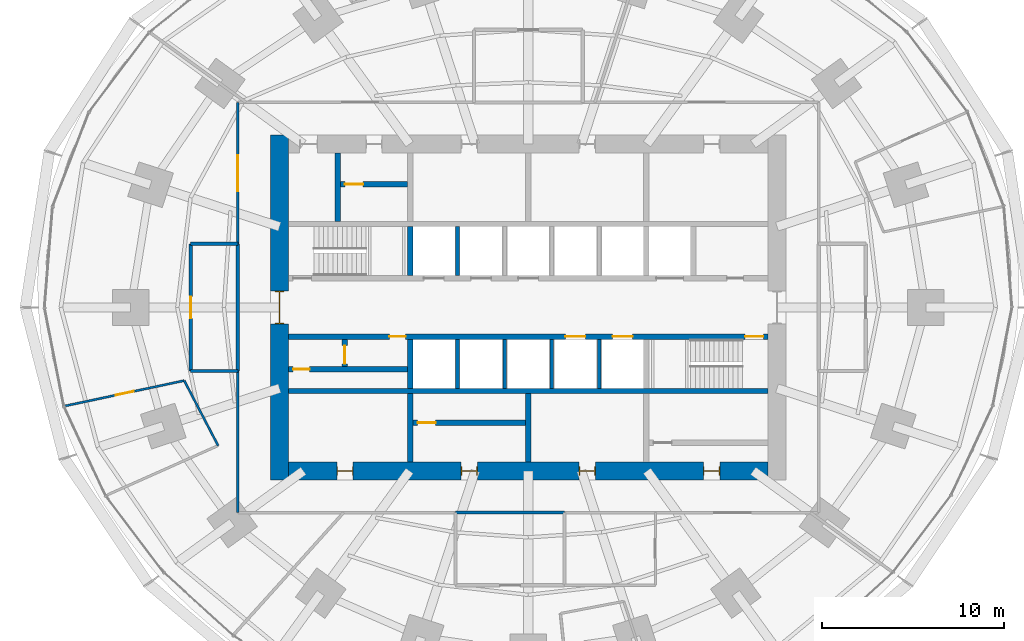
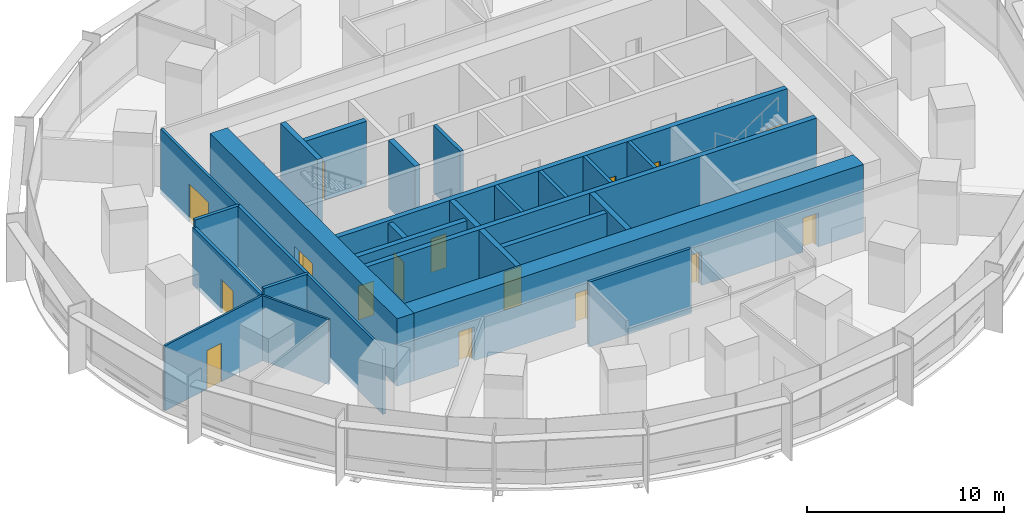
# One storey, part 11 of 15: 27 walls, 16 doors, 16 openings.
"""IFC4 building model written with IfcOpenShell, lengths in metres."""

from ifc_helpers import new_model, si_unit, direction, frame, frame_2d, origin, place, context, subcontext, project, spatial, rectangle, extrude, material, layer, layer_set, type_object, element, fill, save


model = new_model("IFC4")

# Units and contexts
model_context = context("Model", 3, precision=1e-05, world=origin(), true_north=direction((0.0, 1.0)))
body_context = subcontext(model_context, "Body", "Model", "MODEL_VIEW")
ifc_project = project(units=[si_unit("LENGTHUNIT", "METRE"), si_unit("AREAUNIT", "SQUARE_METRE"), si_unit("VOLUMEUNIT", "CUBIC_METRE"), si_unit("PLANEANGLEUNIT", "RADIAN"), si_unit("MASSUNIT", "GRAM", prefix="KILO")], contexts=[model_context])

# Site, building, storey
site_placement = place(None, origin())
site = spatial("IfcSite", under=ifc_project, at=site_placement, CompositionType="ELEMENT")
building_placement = place(site_placement, origin())
building = spatial("IfcBuilding", under=site, at=building_placement, Name="Marramba Exchange Tower", CompositionType="ELEMENT")
storey_placement = place(building_placement, frame((0.0, 0.0, 74.199951171875)))
storey = spatial("IfcBuildingStorey", under=building, at=storey_placement, Name="L17", CompositionType="ELEMENT", Elevation=74.199951171875)

# Walls
ifc_material_1 = material(Name="Plasterboard on staggered double steel studs, acoustic insulation", Category="steel")
ifc_layer_1 = layer(ifc_material_1, 0.169921875)
ifc_layer_set_1 = layer_set([ifc_layer_1], Name="Acoustic partition 170")
wall_type_1 = type_object("IfcWallType", Name="Acoustic partition 170", PredefinedType="PARTITIONING", material=ifc_layer_set_1)
wall_1_placement = place(storey_placement, frame((2.0, -11.300048828125, 0.0), z_axis=(0.0, 0.0, 1.0), x_axis=(-1.0, 0.0, 0.0)))
element("IfcWall", 1, at=wall_1_placement, inside=storey, type_object=wall_type_1, Name="Acoustic partition L17 09", PredefinedType="PARTITIONING", context=body_context, shape_type="SweptSolid", body=[
    extrude(rectangle(XDim=6.0, YDim=0.169921875, at=frame_2d((3.0, 0.0))), origin(), (0.0, 0.0, 1.0), 4.0400390625),
])
ifc_material_2 = material(Name="Concrete N50", Category="concrete")
ifc_layer_2 = layer(ifc_material_2, 0.199951171875)
ifc_layer_set_2 = layer_set([ifc_layer_2], Name="Core shaft wall 200")
wall_type_2 = type_object("IfcWallType", Name="Core shaft wall 200", PredefinedType="SHEAR", material=ifc_layer_set_2)
for number, where, z_axis, x_axis, name in (
    (2, (-3.89990234375, 1.75, 0.0), (0.0, 0.0, 1.0), (0.0, 1.0, 0.0), "Core wall SHN1 L17"),
    (3, (-3.89990234375, -1.75, 0.0), (0.0, 0.0, 1.0), (0.0, -1.0, 0.0), "Core wall SHS1 L17"),
    (4, (-1.300048828125, -1.75, 0.0), (0.0, 0.0, 1.0), (0.0, -1.0, 0.0), "Core wall SHS2 L17"),
    (5, (1.300048828125, -1.75, 0.0), (0.0, 0.0, 1.0), (0.0, -1.0, 0.0), "Core wall SHS3 L17"),
    (6, (3.89990234375, -1.75, 0.0), (0.0, 0.0, 1.0), (0.0, -1.0, 0.0), "Core wall SHS4 L17"),
):
    element("IfcWall", number, at=place(storey_placement, frame(where, z_axis=z_axis, x_axis=x_axis)), inside=storey, type_object=wall_type_2, Name=name, PredefinedType="SHEAR", context=body_context, shape_type="SweptSolid", body=[
        extrude(rectangle(XDim=2.699951171875, YDim=0.199951171875, at=frame_2d((1.35009765625, 0.0))), origin(), (0.0, 0.0, 1.0), 4.199951171875),
    ])

# Wall, openings, doors
ifc_layer_3 = layer(ifc_material_2, 1.0)
ifc_layer_set_3 = layer_set([ifc_layer_3], Name="Core wall 1000")
wall_type_3 = type_object("IfcWallType", Name="Core wall 1000", PredefinedType="SHEAR", material=ifc_layer_set_3)
wall_2_placement = place(storey_placement, frame((-13.199951171875, -9.0, 0.0), z_axis=(0.0, 0.0, 1.0), x_axis=(1.0, 0.0, 0.0)))
wall_2 = element("IfcWall", 7, at=wall_2_placement, inside=storey, type_object=wall_type_3, Name="Core wall S L17", PredefinedType="SHEAR", context=body_context, shape_type="SweptSolid", body=[
    extrude(rectangle(XDim=26.39990234375, YDim=1.0, at=frame_2d((13.199951171875, 0.0))), origin(), (0.0, 0.0, 1.0), 4.199951171875),
])
opening_1_placement = place(wall_2_placement, frame((2.64990234375, 0.0, 0.0)))
opening_1 = element("IfcOpeningElement", 8, at=opening_1_placement, cuts=wall_2, Name="Opening D5", PredefinedType="OPENING", context=body_context, shape_type="SweptSolid", body=[
    extrude(rectangle(XDim=0.89990234375, YDim=2.10009765625, at=frame_2d((0.449951171875, 1.050048828125))), frame((0.0, 0.510009765625, 0.0), z_axis=(0.0, -1.0, 0.0), x_axis=(1.0, 0.0, 0.0)), (0.0, 0.0, 1.0), 1.02001953125),
])
opening_2_placement = place(wall_2_placement, frame((9.5, 0.0, 0.0)))
opening_2 = element("IfcOpeningElement", 9, at=opening_2_placement, cuts=wall_2, Name="Opening D5", PredefinedType="OPENING", context=body_context, shape_type="SweptSolid", body=[
    extrude(rectangle(XDim=0.89990234375, YDim=2.10009765625, at=frame_2d((0.449951171875, 1.050048828125))), frame((0.0, 0.510009765625, 0.0), z_axis=(0.0, -1.0, 0.0), x_axis=(1.0, 0.0, 0.0)), (0.0, 0.0, 1.0), 1.02001953125),
])
opening_3_placement = place(wall_2_placement, frame((16.0, 0.0, 0.0)))
opening_3 = element("IfcOpeningElement", 10, at=opening_3_placement, cuts=wall_2, Name="Opening D5", PredefinedType="OPENING", context=body_context, shape_type="SweptSolid", body=[
    extrude(rectangle(XDim=0.89990234375, YDim=2.10009765625, at=frame_2d((0.449951171875, 1.050048828125))), frame((0.0, 0.510009765625, 0.0), z_axis=(0.0, -1.0, 0.0), x_axis=(1.0, 0.0, 0.0)), (0.0, 0.0, 1.0), 1.02001953125),
])
opening_4_placement = place(wall_2_placement, frame((22.85009765625, 0.0, 0.0)))
opening_4 = element("IfcOpeningElement", 11, at=opening_4_placement, cuts=wall_2, Name="Opening D5", PredefinedType="OPENING", context=body_context, shape_type="SweptSolid", body=[
    extrude(rectangle(XDim=0.89990234375, YDim=2.10009765625, at=frame_2d((0.449951171875, 1.050048828125))), frame((0.0, 0.510009765625, 0.0), z_axis=(0.0, -1.0, 0.0), x_axis=(1.0, 0.0, 0.0)), (0.0, 0.0, 1.0), 1.02001953125),
])
ifc_material_3 = material(Name="Steel-framed door", Category="steel")
door_type_1 = type_object("IfcDoorType", Name="Service door 900x2100", OperationType="SINGLE_SWING_LEFT", PredefinedType="DOOR", material=ifc_material_3)
door_1_placement = place(opening_1_placement, origin())
door_1 = element("IfcDoor", 12, at=door_1_placement, inside=storey, type_object=door_type_1, Name="D5 ahu L17", OperationType="SINGLE_SWING_LEFT", OverallHeight=2.10009765625, OverallWidth=0.89990234375, PredefinedType="DOOR", context=body_context, shape_type="SweptSolid", body=[
    extrude(rectangle(XDim=0.81982421875, YDim=2.06005859375, at=frame_2d((0.449951171875, 1.030029296875))), frame((0.0, 0.02490234375, 0.0), z_axis=(0.0, -1.0, 0.0), x_axis=(1.0, 0.0, 0.0)), (0.0, 0.0, 1.0), 0.050048828125),
    extrude(rectangle(XDim=0.04, YDim=2.10009765625, at=frame_2d((0.02001953125, 1.050048828125))), frame((0.0, 0.25, 0.0), z_axis=(0.0, -1.0, 0.0), x_axis=(1.0, 0.0, 0.0)), (0.0, 0.0, 1.0), 0.5),
    extrude(rectangle(XDim=0.04, YDim=2.10009765625, at=frame_2d((0.8798828125, 1.050048828125))), frame((0.0, 0.25, 0.0), z_axis=(0.0, -1.0, 0.0), x_axis=(1.0, 0.0, 0.0)), (0.0, 0.0, 1.0), 0.5),
    extrude(rectangle(XDim=0.81982421875, YDim=0.04, at=frame_2d((0.449951171875, 2.080078125))), frame((0.0, 0.25, 0.0), z_axis=(0.0, -1.0, 0.0), x_axis=(1.0, 0.0, 0.0)), (0.0, 0.0, 1.0), 0.5),
])
fill(opening_1, door_1)
door_2_placement = place(opening_2_placement, origin())
door_2 = element("IfcDoor", 13, at=door_2_placement, inside=storey, type_object=door_type_1, Name="D5 store L17", OperationType="SINGLE_SWING_RIGHT", OverallHeight=2.10009765625, OverallWidth=0.89990234375, PredefinedType="DOOR", context=body_context, shape_type="SweptSolid", body=[
    extrude(rectangle(XDim=0.81982421875, YDim=2.06005859375, at=frame_2d((0.449951171875, 1.030029296875))), frame((0.0, 0.02490234375, 0.0), z_axis=(0.0, -1.0, 0.0), x_axis=(1.0, 0.0, 0.0)), (0.0, 0.0, 1.0), 0.050048828125),
    extrude(rectangle(XDim=0.04, YDim=2.10009765625, at=frame_2d((0.02001953125, 1.050048828125))), frame((0.0, 0.25, 0.0), z_axis=(0.0, -1.0, 0.0), x_axis=(1.0, 0.0, 0.0)), (0.0, 0.0, 1.0), 0.5),
    extrude(rectangle(XDim=0.04, YDim=2.10009765625, at=frame_2d((0.8798828125, 1.050048828125))), frame((0.0, 0.25, 0.0), z_axis=(0.0, -1.0, 0.0), x_axis=(1.0, 0.0, 0.0)), (0.0, 0.0, 1.0), 0.5),
    extrude(rectangle(XDim=0.81982421875, YDim=0.04, at=frame_2d((0.449951171875, 2.080078125))), frame((0.0, 0.25, 0.0), z_axis=(0.0, -1.0, 0.0), x_axis=(1.0, 0.0, 0.0)), (0.0, 0.0, 1.0), 0.5),
])
fill(opening_2, door_2)
door_3_placement = place(opening_3_placement, origin())
door_3 = element("IfcDoor", 14, at=door_3_placement, inside=storey, type_object=door_type_1, Name="D5 switch L17", OperationType="SINGLE_SWING_RIGHT", OverallHeight=2.10009765625, OverallWidth=0.89990234375, PredefinedType="DOOR", context=body_context, shape_type="SweptSolid", body=[
    extrude(rectangle(XDim=0.81982421875, YDim=2.06005859375, at=frame_2d((0.449951171875, 1.030029296875))), frame((0.0, 0.02490234375, 0.0), z_axis=(0.0, -1.0, 0.0), x_axis=(1.0, 0.0, 0.0)), (0.0, 0.0, 1.0), 0.050048828125),
    extrude(rectangle(XDim=0.04, YDim=2.10009765625, at=frame_2d((0.02001953125, 1.050048828125))), frame((0.0, 0.25, 0.0), z_axis=(0.0, -1.0, 0.0), x_axis=(1.0, 0.0, 0.0)), (0.0, 0.0, 1.0), 0.5),
    extrude(rectangle(XDim=0.04, YDim=2.10009765625, at=frame_2d((0.8798828125, 1.050048828125))), frame((0.0, 0.25, 0.0), z_axis=(0.0, -1.0, 0.0), x_axis=(1.0, 0.0, 0.0)), (0.0, 0.0, 1.0), 0.5),
    extrude(rectangle(XDim=0.81982421875, YDim=0.04, at=frame_2d((0.449951171875, 2.080078125))), frame((0.0, 0.25, 0.0), z_axis=(0.0, -1.0, 0.0), x_axis=(1.0, 0.0, 0.0)), (0.0, 0.0, 1.0), 0.5),
])
fill(opening_3, door_3)
door_4_placement = place(opening_4_placement, origin())
door_4 = element("IfcDoor", 15, at=door_4_placement, inside=storey, type_object=door_type_1, Name="D5 cstore L17", OperationType="SINGLE_SWING_RIGHT", OverallHeight=2.10009765625, OverallWidth=0.89990234375, PredefinedType="DOOR", context=body_context, shape_type="SweptSolid", body=[
    extrude(rectangle(XDim=0.81982421875, YDim=2.06005859375, at=frame_2d((0.449951171875, 1.030029296875))), frame((0.0, 0.02490234375, 0.0), z_axis=(0.0, -1.0, 0.0), x_axis=(1.0, 0.0, 0.0)), (0.0, 0.0, 1.0), 0.050048828125),
    extrude(rectangle(XDim=0.04, YDim=2.10009765625, at=frame_2d((0.02001953125, 1.050048828125))), frame((0.0, 0.25, 0.0), z_axis=(0.0, -1.0, 0.0), x_axis=(1.0, 0.0, 0.0)), (0.0, 0.0, 1.0), 0.5),
    extrude(rectangle(XDim=0.04, YDim=2.10009765625, at=frame_2d((0.8798828125, 1.050048828125))), frame((0.0, 0.25, 0.0), z_axis=(0.0, -1.0, 0.0), x_axis=(1.0, 0.0, 0.0)), (0.0, 0.0, 1.0), 0.5),
    extrude(rectangle(XDim=0.81982421875, YDim=0.04, at=frame_2d((0.449951171875, 2.080078125))), frame((0.0, 0.25, 0.0), z_axis=(0.0, -1.0, 0.0), x_axis=(1.0, 0.0, 0.0)), (0.0, 0.0, 1.0), 0.5),
])
fill(opening_4, door_4)

# Wall, opening, door
wall_3_placement = place(storey_placement, frame((-13.699951171875, 9.5, 0.0), z_axis=(0.0, 0.0, 1.0), x_axis=(0.0, -1.0, 0.0)))
wall_3 = element("IfcWall", 16, at=wall_3_placement, inside=storey, type_object=wall_type_3, Name="Core wall W L17", PredefinedType="SHEAR", context=body_context, shape_type="SweptSolid", body=[
    extrude(rectangle(XDim=19.0, YDim=1.0, at=frame_2d((9.5, 0.0))), origin(), (0.0, 0.0, 1.0), 4.199951171875),
])
opening_5_placement = place(wall_3_placement, frame((8.60009765625, 0.0, 0.0)))
opening_5 = element("IfcOpeningElement", 17, at=opening_5_placement, cuts=wall_3, Name="Opening D1", PredefinedType="OPENING", context=body_context, shape_type="SweptSolid", body=[
    extrude(rectangle(XDim=1.800048828125, YDim=2.39990234375, at=frame_2d((0.89990234375, 1.199951171875))), frame((0.0, 0.510009765625, 0.0), z_axis=(0.0, -1.0, 0.0), x_axis=(1.0, 0.0, 0.0)), (0.0, 0.0, 1.0), 1.02001953125),
])
door_type_2 = type_object("IfcDoorType", Name="Lobby exit door 1800x2400", OperationType="DOUBLE_DOOR_SINGLE_SWING", PredefinedType="DOOR", material=ifc_material_3)
door_5_placement = place(opening_5_placement, origin())
door_5 = element("IfcDoor", 18, at=door_5_placement, inside=storey, type_object=door_type_2, Name="D1 lobby exit west L17", OperationType="DOUBLE_DOOR_SINGLE_SWING", OverallHeight=2.39990234375, OverallWidth=1.800048828125, PredefinedType="DOOR", context=body_context, shape_type="SweptSolid", body=[
    extrude(rectangle(XDim=1.719970703125, YDim=2.35986328125, at=frame_2d((0.89990234375, 1.179931640625))), frame((0.0, 0.02490234375, 0.0), z_axis=(0.0, -1.0, 0.0), x_axis=(1.0, 0.0, 0.0)), (0.0, 0.0, 1.0), 0.050048828125),
    extrude(rectangle(XDim=0.04, YDim=2.39990234375, at=frame_2d((0.02001953125, 1.199951171875))), frame((0.0, 0.25, 0.0), z_axis=(0.0, -1.0, 0.0), x_axis=(1.0, 0.0, 0.0)), (0.0, 0.0, 1.0), 0.5),
    extrude(rectangle(XDim=0.04, YDim=2.39990234375, at=frame_2d((1.780029296875, 1.199951171875))), frame((0.0, 0.25, 0.0), z_axis=(0.0, -1.0, 0.0), x_axis=(1.0, 0.0, 0.0)), (0.0, 0.0, 1.0), 0.5),
    extrude(rectangle(XDim=1.719970703125, YDim=0.04, at=frame_2d((0.89990234375, 2.3798828125))), frame((0.0, 0.25, 0.0), z_axis=(0.0, -1.0, 0.0), x_axis=(1.0, 0.0, 0.0)), (0.0, 0.0, 1.0), 0.5),
])
fill(opening_5, door_5)

# Wall, openings, doors
ifc_layer_4 = layer(ifc_material_2, 0.300048828125)
ifc_layer_set_4 = layer_set([ifc_layer_4], Name="Core wall 300")
wall_type_4 = type_object("IfcWallType", Name="Core wall 300", PredefinedType="SHEAR", material=ifc_layer_set_4)
wall_4_placement = place(storey_placement, frame((-13.199951171875, -1.60009765625, 0.0), z_axis=(0.0, 0.0, 1.0), x_axis=(1.0, 0.0, 0.0)))
wall_4 = element("IfcWall", 19, at=wall_4_placement, inside=storey, type_object=wall_type_4, Name="Core wall LS L17", PredefinedType="SHEAR", context=body_context, shape_type="SweptSolid", body=[
    extrude(rectangle(XDim=26.39990234375, YDim=0.300048828125, at=frame_2d((13.199951171875, 0.0))), origin(), (0.0, 0.0, 1.0), 4.199951171875),
])
opening_6_placement = place(wall_4_placement, frame((25.14990234375, 0.0, 0.0)))
opening_6 = element("IfcOpeningElement", 20, at=opening_6_placement, cuts=wall_4, Name="Opening D2", PredefinedType="OPENING", context=body_context, shape_type="SweptSolid", body=[
    extrude(rectangle(XDim=1.0, YDim=2.10009765625, at=frame_2d((0.5, 1.050048828125))), frame((0.0, 0.159912109375, 0.0), z_axis=(0.0, -1.0, 0.0), x_axis=(1.0, 0.0, 0.0)), (0.0, 0.0, 1.0), 0.320068359375),
])
opening_7_placement = place(wall_4_placement, frame((15.25, 0.0, 0.0)))
opening_7 = element("IfcOpeningElement", 21, at=opening_7_placement, cuts=wall_4, Name="Opening LD2", PredefinedType="OPENING", context=body_context, shape_type="SweptSolid", body=[
    extrude(rectangle(XDim=1.10009765625, YDim=2.300048828125, at=frame_2d((0.550048828125, 1.14990234375))), frame((0.0, 0.159912109375, 0.0), z_axis=(0.0, -1.0, 0.0), x_axis=(1.0, 0.0, 0.0)), (0.0, 0.0, 1.0), 0.320068359375),
])
opening_8_placement = place(wall_4_placement, frame((17.85009765625, 0.0, 0.0)))
opening_8 = element("IfcOpeningElement", 22, at=opening_8_placement, cuts=wall_4, Name="Opening LD2", PredefinedType="OPENING", context=body_context, shape_type="SweptSolid", body=[
    extrude(rectangle(XDim=1.10009765625, YDim=2.300048828125, at=frame_2d((0.550048828125, 1.14990234375))), frame((0.0, 0.159912109375, 0.0), z_axis=(0.0, -1.0, 0.0), x_axis=(1.0, 0.0, 0.0)), (0.0, 0.0, 1.0), 0.320068359375),
])
opening_9_placement = place(wall_4_placement, frame((5.550048828125, 0.0, 0.0)))
opening_9 = element("IfcOpeningElement", 23, at=opening_9_placement, cuts=wall_4, Name="Opening D5", PredefinedType="OPENING", context=body_context, shape_type="SweptSolid", body=[
    extrude(rectangle(XDim=0.89990234375, YDim=2.10009765625, at=frame_2d((0.449951171875, 1.050048828125))), frame((0.0, 0.159912109375, 0.0), z_axis=(0.0, -1.0, 0.0), x_axis=(1.0, 0.0, 0.0)), (0.0, 0.0, 1.0), 0.320068359375),
])
door_type_3 = type_object("IfcDoorType", Name="Emergency lift landing door 1100x2300", OperationType="SLIDING_TO_LEFT", PredefinedType="DOOR", material=ifc_material_3)
door_6_placement = place(opening_7_placement, frame((1.10009765625, 0.0, 0.0), z_axis=(0.0, 0.0, 1.0), x_axis=(-1.0, 0.0, 0.0)))
door_6 = element("IfcDoor", 24, at=door_6_placement, inside=storey, type_object=door_type_3, Name="FL1 landing door L17", OperationType="SLIDING_TO_RIGHT", OverallHeight=2.300048828125, OverallWidth=1.10009765625, PredefinedType="DOOR", context=body_context, shape_type="SweptSolid", body=[
    extrude(rectangle(XDim=1.10009765625, YDim=2.300048828125, at=frame_2d((0.550048828125, 1.14990234375))), frame((0.0, 0.025146484375, 0.0), z_axis=(0.0, -1.0, 0.0), x_axis=(1.0, 0.0, 0.0)), (0.0, 0.0, 1.0), 0.050048828125),
])
fill(opening_7, door_6)
door_7_placement = place(opening_8_placement, frame((1.10009765625, 0.0, 0.0), z_axis=(0.0, 0.0, 1.0), x_axis=(-1.0, 0.0, 0.0)))
door_7 = element("IfcDoor", 25, at=door_7_placement, inside=storey, type_object=door_type_3, Name="FL2 landing door L17", OperationType="SLIDING_TO_LEFT", OverallHeight=2.300048828125, OverallWidth=1.10009765625, PredefinedType="DOOR", context=body_context, shape_type="SweptSolid", body=[
    extrude(rectangle(XDim=1.10009765625, YDim=2.300048828125, at=frame_2d((0.550048828125, 1.14990234375))), frame((0.0, 0.025146484375, 0.0), z_axis=(0.0, -1.0, 0.0), x_axis=(1.0, 0.0, 0.0)), (0.0, 0.0, 1.0), 0.050048828125),
])
fill(opening_8, door_7)
door_8_placement = place(opening_9_placement, frame((0.89990234375, 0.0, 0.0), z_axis=(0.0, 0.0, 1.0), x_axis=(-1.0, 0.0, 0.0)))
door_8 = element("IfcDoor", 26, at=door_8_placement, inside=storey, type_object=door_type_1, Name="D5 electrical riser L17", OperationType="SINGLE_SWING_LEFT", OverallHeight=2.10009765625, OverallWidth=0.89990234375, PredefinedType="DOOR", context=body_context, shape_type="SweptSolid", body=[
    extrude(rectangle(XDim=0.89990234375, YDim=2.10009765625, at=frame_2d((0.449951171875, 1.050048828125))), frame((0.0, 0.025146484375, 0.0), z_axis=(0.0, -1.0, 0.0), x_axis=(1.0, 0.0, 0.0)), (0.0, 0.0, 1.0), 0.050048828125),
])
fill(opening_9, door_8)
door_type_4 = type_object("IfcDoorType", Name="Stair door 1000x2100", OperationType="SINGLE_SWING_LEFT", PredefinedType="DOOR", material=ifc_material_3)
door_9_placement = place(opening_6_placement, frame((1.0, 0.0, 0.0), z_axis=(0.0, 0.0, 1.0), x_axis=(-1.0, 0.0, 0.0)))
door_9 = element("IfcDoor", 27, at=door_9_placement, inside=storey, type_object=door_type_4, Name="D2 stair ST2 L17", OperationType="SINGLE_SWING_LEFT", OverallHeight=2.10009765625, OverallWidth=1.0, PredefinedType="DOOR", context=body_context, shape_type="SweptSolid", body=[
    extrude(rectangle(XDim=1.0, YDim=2.10009765625, at=frame_2d((0.5, 1.050048828125))), frame((0.0, 0.025146484375, 0.0), z_axis=(0.0, -1.0, 0.0), x_axis=(1.0, 0.0, 0.0)), (0.0, 0.0, 1.0), 0.050048828125),
])
fill(opening_6, door_9)

# Walls
wall_5_placement = place(storey_placement, frame((-13.199951171875, -4.60009765625, 0.0), z_axis=(0.0, 0.0, 1.0), x_axis=(1.0, 0.0, 0.0)))
element("IfcWall", 28, at=wall_5_placement, inside=storey, type_object=wall_type_4, Name="Core wall BS L17", PredefinedType="SHEAR", context=body_context, shape_type="SweptSolid", body=[
    extrude(rectangle(XDim=26.39990234375, YDim=0.300048828125, at=frame_2d((13.199951171875, 0.0))), origin(), (0.0, 0.0, 1.0), 4.199951171875),
])
for number, where, z_axis, x_axis, name in (
    (29, (-6.5, 1.75, 0.0), (0.0, 0.0, 1.0), (0.0, 1.0, 0.0), "Core wall X0Na L17"),
    (30, (-6.5, -1.75, 0.0), (0.0, 0.0, 1.0), (0.0, -1.0, 0.0), "Core wall X0Sa L17"),
):
    element("IfcWall", number, at=place(storey_placement, frame(where, z_axis=z_axis, x_axis=x_axis)), inside=storey, type_object=wall_type_4, Name=name, PredefinedType="SHEAR", context=body_context, shape_type="SweptSolid", body=[
        extrude(rectangle(XDim=2.699951171875, YDim=0.300048828125, at=frame_2d((1.35009765625, 0.0))), origin(), (0.0, 0.0, 1.0), 4.199951171875),
    ])
for number, where, z_axis, x_axis, name in (
    (31, (-6.5, -4.75, 0.0), (0.0, 0.0, 1.0), (0.0, -1.0, 0.0), "Core wall X0Sb L17"),
    (32, (0.0, -4.75, 0.0), (0.0, 0.0, 1.0), (0.0, -1.0, 0.0), "Core wall MS L17"),
    (33, (-10.5, 4.75, 0.0), (0.0, 0.0, 1.0), (0.0, 1.0, 0.0), "Core wall WD L17"),
):
    element("IfcWall", number, at=place(storey_placement, frame(where, z_axis=z_axis, x_axis=x_axis)), inside=storey, type_object=wall_type_4, Name=name, PredefinedType="SHEAR", context=body_context, shape_type="SweptSolid", body=[
        extrude(rectangle(XDim=3.75, YDim=0.300048828125, at=frame_2d((1.875, 0.0))), origin(), (0.0, 0.0, 1.0), 4.199951171875),
    ])
ifc_material_4 = material(Name="Core-filled concrete blockwork, rendered", Category="masonry")
ifc_layer_5 = layer(ifc_material_4, 0.18994140625)
ifc_layer_set_5 = layer_set([ifc_layer_5], Name="Equipment room wall 190")
wall_type_5 = type_object("IfcWallType", Name="Equipment room wall 190", PredefinedType="SOLIDWALL", material=ifc_layer_set_5)
for number, where, z_axis, x_axis, name in (
    (34, (-18.60009765625, -3.5, 0.0), (0.0, 0.0, 1.0), (1.0, 0.0, 0.0), "Equipment room wall L17 01"),
    (35, (-16.0, 3.5, 0.0), (0.0, 0.0, 1.0), (-1.0, 0.0, 0.0), "Equipment room wall L17 40"),
):
    element("IfcWall", number, at=place(storey_placement, frame(where, z_axis=z_axis, x_axis=x_axis)), inside=storey, type_object=wall_type_5, Name=name, PredefinedType="SOLIDWALL", context=body_context, shape_type="SweptSolid", body=[
        extrude(rectangle(XDim=2.60009765625, YDim=0.18994140625, at=frame_2d((1.300048828125, 0.0))), origin(), (0.0, 0.0, 1.0), 4.0400390625),
    ])

# Wall, opening, door
wall_6_placement = place(storey_placement, frame((-18.60009765625, 3.5, 0.0), z_axis=(0.0, 0.0, 1.0), x_axis=(0.0, -1.0, 0.0)))
wall_6 = element("IfcWall", 36, at=wall_6_placement, inside=storey, type_object=wall_type_5, Name="Equipment room wall L17 41", PredefinedType="SOLIDWALL", context=body_context, shape_type="SweptSolid", body=[
    extrude(rectangle(XDim=7.0, YDim=0.18994140625, at=frame_2d((3.5, 0.0))), origin(), (0.0, 0.0, 1.0), 3.5859375),
])
opening_10_placement = place(wall_6_placement, frame((2.89990234375, 0.0, 0.0)))
opening_10 = element("IfcOpeningElement", 37, at=opening_10_placement, cuts=wall_6, Name="Opening D16", PredefinedType="OPENING", context=body_context, shape_type="SweptSolid", body=[
    extrude(rectangle(XDim=1.199951171875, YDim=2.10009765625, at=frame_2d((0.60009765625, 1.050048828125))), frame((0.0, 0.10498046875, 0.0), z_axis=(0.0, -1.0, 0.0), x_axis=(1.0, 0.0, 0.0)), (0.0, 0.0, 1.0), 0.2099609375),
])
door_type_5 = type_object("IfcDoorType", Name="Equipment room door 1200x2100", OperationType="SINGLE_SWING_LEFT", PredefinedType="DOOR", material=ifc_material_3)
door_10_placement = place(opening_10_placement, origin())
door_10 = element("IfcDoor", 38, at=door_10_placement, inside=storey, type_object=door_type_5, Name="D16 Data Room 2 L17", OperationType="SINGLE_SWING_RIGHT", OverallHeight=2.10009765625, OverallWidth=1.199951171875, PredefinedType="DOOR", context=body_context, shape_type="SweptSolid", body=[
    extrude(rectangle(XDim=1.199951171875, YDim=2.10009765625, at=frame_2d((0.60009765625, 1.050048828125))), frame((0.0, 0.02490234375, 0.0), z_axis=(0.0, -1.0, 0.0), x_axis=(1.0, 0.0, 0.0)), (0.0, 0.0, 1.0), 0.050048828125),
])
fill(opening_10, door_10)

# Wall
wall_7_placement = place(storey_placement, frame((-16.0, -3.5, 0.0), z_axis=(0.0, 0.0, 1.0), x_axis=(0.0, 1.0, 0.0)))
element("IfcWall", 39, at=wall_7_placement, inside=storey, type_object=wall_type_5, Name="Equipment room wall L17 42", PredefinedType="SOLIDWALL", context=body_context, shape_type="SweptSolid", body=[
    extrude(rectangle(XDim=7.0, YDim=0.18994140625, at=frame_2d((3.5, 0.0))), origin(), (0.0, 0.0, 1.0), 4.0400390625),
])

# Wall, opening, door
ifc_material_5 = material(Name="Plasterboard on steel studs", Category="steel")
ifc_layer_6 = layer(ifc_material_5, 0.1201171875)
ifc_layer_set_6 = layer_set([ifc_layer_6], Name="Partition 120")
wall_type_6 = type_object("IfcWallType", Name="Partition 120", PredefinedType="PARTITIONING", material=ifc_layer_set_6)
wall_8_placement = place(storey_placement, frame((-18.952880859375, -4.028564453125, 0.0), z_axis=(0.0, 0.0, 1.0), x_axis=(-0.978145049807, -0.207923691622, 0.0)))
wall_8 = element("IfcWall", 40, at=wall_8_placement, inside=storey, type_object=wall_type_6, Name="Partition L17 02", PredefinedType="PARTITIONING", context=body_context, shape_type="SweptSolid", body=[
    extrude(rectangle(XDim=6.699951171875, YDim=0.1201171875, at=frame_2d((3.35009765625, 0.0))), origin(), (0.0, 0.0, 1.0), 4.0400390625),
])
opening_11_placement = place(wall_8_placement, frame((2.85009765625, 0.0, 0.0)))
opening_11 = element("IfcOpeningElement", 41, at=opening_11_placement, cuts=wall_8, Name="Opening D9", PredefinedType="OPENING", context=body_context, shape_type="SweptSolid", body=[
    extrude(rectangle(XDim=1.0, YDim=2.39990234375, at=frame_2d((0.5, 1.199951171875))), frame((0.0, 0.070068359375, 0.0), z_axis=(0.0, -1.0, 0.0), x_axis=(1.0, 0.0, 0.0)), (0.0, 0.0, 1.0), 0.14013671875),
])
ifc_material_6 = material(Name="Timber door", Category="wood")
door_type_6 = type_object("IfcDoorType", Name="Room door 1000x2400", OperationType="SINGLE_SWING_LEFT", PredefinedType="DOOR", material=ifc_material_6)
door_11_placement = place(opening_11_placement, origin())
door_11 = element("IfcDoor", 42, at=door_11_placement, inside=storey, type_object=door_type_6, Name="D9 Firm Principal Office 2 L17", OperationType="SINGLE_SWING_RIGHT", OverallHeight=2.39990234375, OverallWidth=1.0, PredefinedType="DOOR", context=body_context, shape_type="SweptSolid", body=[
    extrude(rectangle(XDim=1.0, YDim=2.39990234375, at=frame_2d((0.5, 1.199951171875))), frame((0.0, 0.02490234375, 0.0), z_axis=(0.0, -1.0, 0.0), x_axis=(1.0, 0.0, 0.0)), (0.0, 0.0, 1.0), 0.050048828125),
])
fill(opening_11, door_11)

# Wall
wall_9_placement = place(storey_placement, frame((-17.08740234375, -7.60791015625, 0.0), z_axis=(0.0, 0.0, 1.0), x_axis=(-0.462175272874, 0.886788597775, 0.0)))
element("IfcWall", 43, at=wall_9_placement, inside=storey, type_object=wall_type_6, Name="Partition L17 03", PredefinedType="PARTITIONING", context=body_context, shape_type="SweptSolid", body=[
    extrude(rectangle(XDim=4.036376953125, YDim=0.1201171875, at=frame_2d((2.01806640625, 0.0))), origin(), (0.0, 0.0, 1.0), 4.0400390625),
])

# Wall, opening, door
ifc_material_7 = material(Name="Core-filled concrete blockwork", Category="masonry")
ifc_layer_7 = layer(ifc_material_7, 0.300048828125)
ifc_layer_set_7 = layer_set([ifc_layer_7], Name="Riser enclosure wall 300")
wall_type_7 = type_object("IfcWallType", Name="Riser enclosure wall 300", PredefinedType="SOLIDWALL", material=ifc_layer_set_7)
wall_10_placement = place(storey_placement, frame((-13.199951171875, -3.39990234375, 0.0), z_axis=(0.0, 0.0, 1.0), x_axis=(1.0, 0.0, 0.0)))
wall_10 = element("IfcWall", 44, at=wall_10_placement, inside=storey, type_object=wall_type_7, Name="Riser enclosure wall L17", PredefinedType="SOLIDWALL", context=body_context, shape_type="SweptSolid", body=[
    extrude(rectangle(XDim=6.550048828125, YDim=0.300048828125, at=frame_2d((3.27490234375, 0.0))), origin(), (0.0, 0.0, 1.0), 4.0400390625),
])
opening_12_placement = place(wall_10_placement, frame((0.25, 0.0, 0.0)))
opening_12 = element("IfcOpeningElement", 45, at=opening_12_placement, cuts=wall_10, Name="Opening D5", PredefinedType="OPENING", context=body_context, shape_type="SweptSolid", body=[
    extrude(rectangle(XDim=0.89990234375, YDim=2.10009765625, at=frame_2d((0.449951171875, 1.050048828125))), frame((0.0, 0.159912109375, 0.0), z_axis=(0.0, -1.0, 0.0), x_axis=(1.0, 0.0, 0.0)), (0.0, 0.0, 1.0), 0.320068359375),
])
door_12_placement = place(opening_12_placement, origin())
door_12 = element("IfcDoor", 46, at=door_12_placement, inside=storey, type_object=door_type_1, Name="D5 electrical riser back L17", OperationType="SINGLE_SWING_LEFT", OverallHeight=2.10009765625, OverallWidth=0.89990234375, PredefinedType="DOOR", context=body_context, shape_type="SweptSolid", body=[
    extrude(rectangle(XDim=0.89990234375, YDim=2.10009765625, at=frame_2d((0.449951171875, 1.050048828125))), frame((0.0, 0.02490234375, 0.0), z_axis=(0.0, -1.0, 0.0), x_axis=(1.0, 0.0, 0.0)), (0.0, 0.0, 1.0), 0.050048828125),
])
fill(opening_12, door_12)

ifc_material_8 = material(Name="Plasterboard on steel studs, insulated, unrated", Category="steel")
ifc_layer_8 = layer(ifc_material_8, 0.300048828125)
ifc_layer_set_8 = layer_set([ifc_layer_8], Name="Store partition 300")
wall_type_8 = type_object("IfcWallType", Name="Store partition 300", PredefinedType="PARTITIONING", material=ifc_layer_set_8)
wall_11_placement = place(storey_placement, frame((-10.35009765625, 6.800048828125, 0.0), z_axis=(0.0, 0.0, 1.0), x_axis=(1.0, 0.0, 0.0)))
wall_11 = element("IfcWall", 47, at=wall_11_placement, inside=storey, type_object=wall_type_8, Name="Store partition L17 cleaner", PredefinedType="PARTITIONING", context=body_context, shape_type="SweptSolid", body=[
    extrude(rectangle(XDim=3.7001953125, YDim=0.300048828125, at=frame_2d((1.85009765625, 0.0))), origin(), (0.0, 0.0, 1.0), 4.0400390625),
])
opening_13_placement = place(wall_11_placement, frame((0.25, 0.0, 0.0)))
opening_13 = element("IfcOpeningElement", 48, at=opening_13_placement, cuts=wall_11, Name="Opening D9", PredefinedType="OPENING", context=body_context, shape_type="SweptSolid", body=[
    extrude(rectangle(XDim=1.0, YDim=2.39990234375, at=frame_2d((0.5, 1.199951171875))), frame((0.0, 0.159912109375, 0.0), z_axis=(0.0, -1.0, 0.0), x_axis=(1.0, 0.0, 0.0)), (0.0, 0.0, 1.0), 0.320068359375),
])
door_13_placement = place(opening_13_placement, origin())
door_13 = element("IfcDoor", 49, at=door_13_placement, inside=storey, type_object=door_type_6, Name="D9 cleaning store L17", OperationType="SINGLE_SWING_LEFT", OverallHeight=2.39990234375, OverallWidth=1.0, PredefinedType="DOOR", context=body_context, shape_type="SweptSolid", body=[
    extrude(rectangle(XDim=1.0, YDim=2.39990234375, at=frame_2d((0.5, 1.199951171875))), frame((0.0, 0.02490234375, 0.0), z_axis=(0.0, -1.0, 0.0), x_axis=(1.0, 0.0, 0.0)), (0.0, 0.0, 1.0), 0.050048828125),
])
fill(opening_13, door_13)

wall_12_placement = place(storey_placement, frame((-6.35009765625, -6.360107421875, 0.0), z_axis=(0.0, 0.0, 1.0), x_axis=(1.0, 0.0, 0.0)))
wall_12 = element("IfcWall", 50, at=wall_12_placement, inside=storey, type_object=wall_type_8, Name="Store partition L17 store", PredefinedType="PARTITIONING", context=body_context, shape_type="SweptSolid", body=[
    extrude(rectangle(XDim=6.2001953125, YDim=0.300048828125, at=frame_2d((3.10009765625, 0.0))), origin(), (0.0, 0.0, 1.0), 4.0400390625),
])
opening_14_placement = place(wall_12_placement, frame((0.25, 0.0, 0.0)))
opening_14 = element("IfcOpeningElement", 51, at=opening_14_placement, cuts=wall_12, Name="Opening D9", PredefinedType="OPENING", context=body_context, shape_type="SweptSolid", body=[
    extrude(rectangle(XDim=1.0, YDim=2.39990234375, at=frame_2d((0.5, 1.199951171875))), frame((0.0, 0.159912109375, 0.0), z_axis=(0.0, -1.0, 0.0), x_axis=(1.0, 0.0, 0.0)), (0.0, 0.0, 1.0), 0.320068359375),
])
door_14_placement = place(opening_14_placement, origin())
door_14 = element("IfcDoor", 52, at=door_14_placement, inside=storey, type_object=door_type_6, Name="D9 stationery store L17", OperationType="SINGLE_SWING_LEFT", OverallHeight=2.39990234375, OverallWidth=1.0, PredefinedType="DOOR", context=body_context, shape_type="SweptSolid", body=[
    extrude(rectangle(XDim=1.0, YDim=2.39990234375, at=frame_2d((0.5, 1.199951171875))), frame((0.0, 0.02490234375, 0.0), z_axis=(0.0, -1.0, 0.0), x_axis=(1.0, 0.0, 0.0)), (0.0, 0.0, 1.0), 0.050048828125),
])
fill(opening_14, door_14)

wall_13_placement = place(storey_placement, frame((-10.10009765625, -3.25, 0.0), z_axis=(0.0, 0.0, 1.0), x_axis=(0.0, 1.0, 0.0)))
wall_13 = element("IfcWall", 53, at=wall_13_placement, inside=storey, type_object=wall_type_8, Name="Store partition L17 tool store", PredefinedType="PARTITIONING", context=body_context, shape_type="SweptSolid", body=[
    extrude(rectangle(XDim=1.5, YDim=0.300048828125, at=frame_2d((0.75, 0.0))), origin(), (0.0, 0.0, 1.0), 4.0400390625),
])
opening_15_placement = place(wall_13_placement, frame((0.14990234375, 0.0, 0.0)))
opening_15 = element("IfcOpeningElement", 54, at=opening_15_placement, cuts=wall_13, Name="Opening D9", PredefinedType="OPENING", context=body_context, shape_type="SweptSolid", body=[
    extrude(rectangle(XDim=1.0, YDim=2.39990234375, at=frame_2d((0.5, 1.199951171875))), frame((0.0, 0.159912109375, 0.0), z_axis=(0.0, -1.0, 0.0), x_axis=(1.0, 0.0, 0.0)), (0.0, 0.0, 1.0), 0.320068359375),
])
door_15_placement = place(opening_15_placement, origin())
door_15 = element("IfcDoor", 55, at=door_15_placement, inside=storey, type_object=door_type_6, Name="D9 tool store L17", OperationType="SINGLE_SWING_LEFT", OverallHeight=2.39990234375, OverallWidth=1.0, PredefinedType="DOOR", context=body_context, shape_type="SweptSolid", body=[
    extrude(rectangle(XDim=1.0, YDim=2.39990234375, at=frame_2d((0.5, 1.199951171875))), frame((0.0, 0.02490234375, 0.0), z_axis=(0.0, -1.0, 0.0), x_axis=(1.0, 0.0, 0.0)), (0.0, 0.0, 1.0), 0.050048828125),
])
fill(opening_15, door_15)

# Wall
ifc_material_9 = material(Name="Fire-rated plasterboard on steel studs, acoustic insulation", Category="steel")
ifc_layer_9 = layer(ifc_material_9, 0.14990234375)
ifc_layer_set_9 = layer_set([ifc_layer_9], Name="Tenancy wall 150")
wall_type_9 = type_object("IfcWallType", Name="Tenancy wall 150", PredefinedType="PARTITIONING", material=ifc_layer_set_9)
wall_14_placement = place(storey_placement, frame((-16.0, -3.5, 0.0), z_axis=(0.0, 0.0, 1.0), x_axis=(0.0, -1.0, 0.0)))
element("IfcWall", 56, at=wall_14_placement, inside=storey, type_object=wall_type_9, Name="Tenancy wall L17 05", PredefinedType="PARTITIONING", context=body_context, shape_type="SweptSolid", body=[
    extrude(rectangle(XDim=7.800048828125, YDim=0.14990234375, at=frame_2d((3.89990234375, 0.0))), origin(), (0.0, 0.0, 1.0), 4.0400390625),
])

# Wall, opening, door
wall_15_placement = place(storey_placement, frame((-16.0, 11.300048828125, 0.0), z_axis=(0.0, 0.0, 1.0), x_axis=(0.0, -1.0, 0.0)))
wall_15 = element("IfcWall", 57, at=wall_15_placement, inside=storey, type_object=wall_type_9, Name="Tenancy wall L17 39", PredefinedType="PARTITIONING", context=body_context, shape_type="SweptSolid", body=[
    extrude(rectangle(XDim=7.800048828125, YDim=0.14990234375, at=frame_2d((3.89990234375, 0.0))), origin(), (0.0, 0.0, 1.0), 4.0400390625),
])
opening_16_placement = place(wall_15_placement, frame((2.89990234375, 0.0, 0.0)))
opening_16 = element("IfcOpeningElement", 58, at=opening_16_placement, cuts=wall_15, Name="Opening D17", PredefinedType="OPENING", context=body_context, shape_type="SweptSolid", body=[
    extrude(rectangle(XDim=2.0, YDim=2.39990234375, at=frame_2d((1.0, 1.199951171875))), frame((0.0, 0.0849609375, 0.0), z_axis=(0.0, -1.0, 0.0), x_axis=(1.0, 0.0, 0.0)), (0.0, 0.0, 1.0), 0.169921875),
])
door_type_7 = type_object("IfcDoorType", Name="Trading floor entry door pair 2000x2400", OperationType="DOUBLE_DOOR_SINGLE_SWING", PredefinedType="DOOR", material=ifc_material_3)
door_16_placement = place(opening_16_placement, origin())
door_16 = element("IfcDoor", 59, at=door_16_placement, inside=storey, type_object=door_type_7, Name="D17 Trading Floor 2 L17", OperationType="DOUBLE_DOOR_SINGLE_SWING", OverallHeight=2.39990234375, OverallWidth=2.0, PredefinedType="DOOR", context=body_context, shape_type="SweptSolid", body=[
    extrude(rectangle(XDim=2.0, YDim=2.39990234375, at=frame_2d((1.0, 1.199951171875))), frame((0.0, 0.02490234375, 0.0), z_axis=(0.0, -1.0, 0.0), x_axis=(1.0, 0.0, 0.0)), (0.0, 0.0, 1.0), 0.050048828125),
])
fill(opening_16, door_16)

save(model, "model.ifc")
